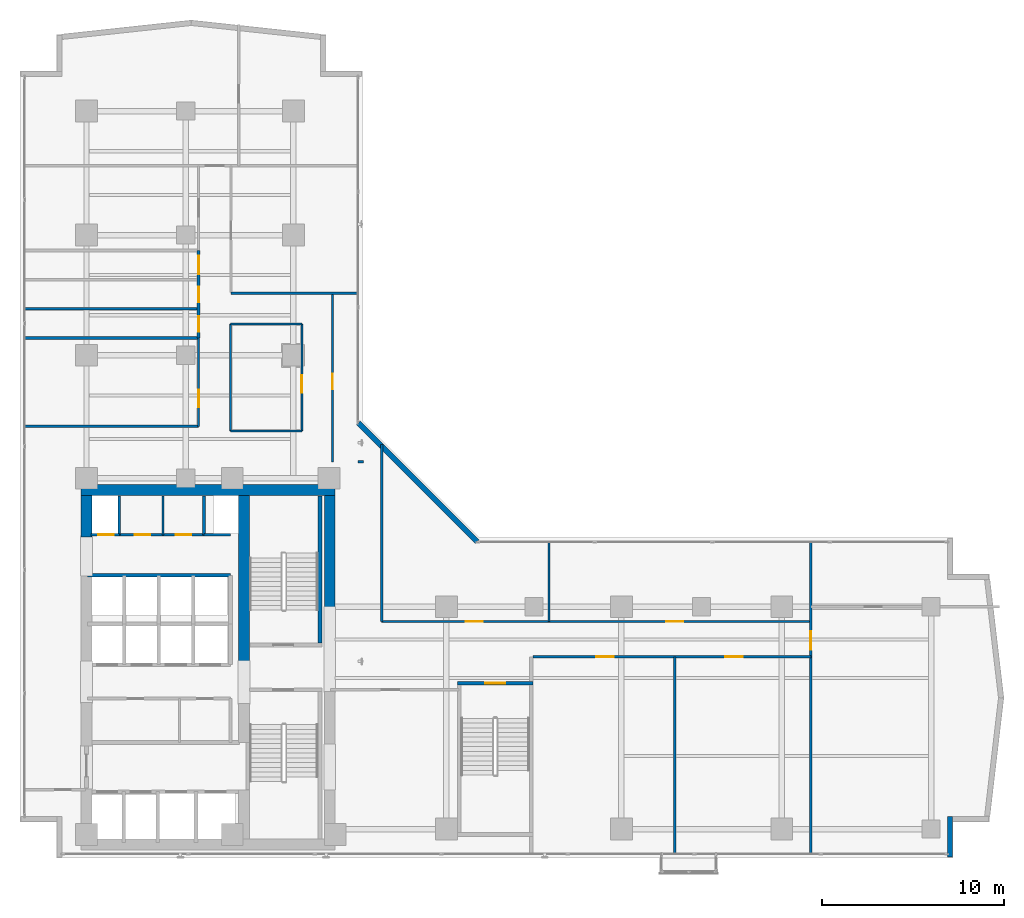
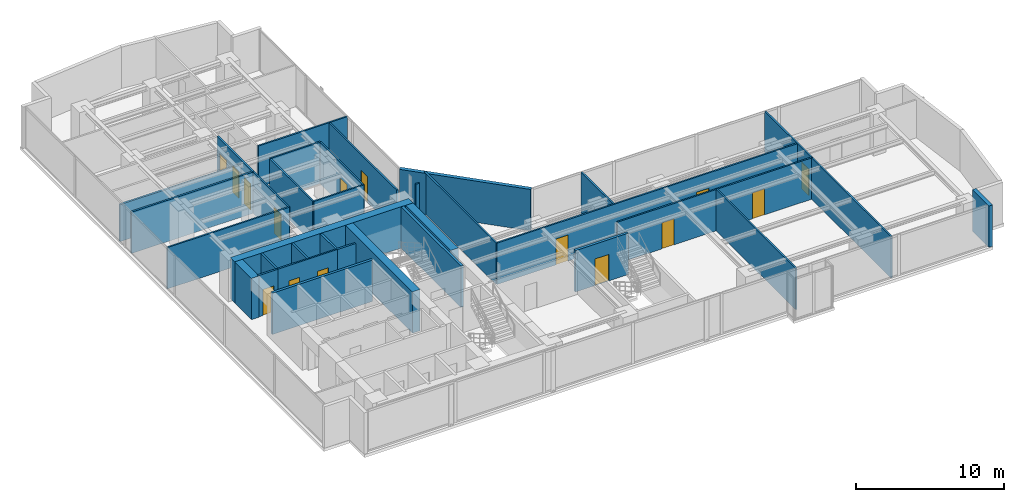
# One storey, part 20 of 26: 33 walls, 15 doors, 15 openings.
"""IFC4 building model written with IfcOpenShell, lengths in metres."""

from ifc_helpers import new_model, si_unit, direction, frame, frame_2d, origin, place, context, subcontext, project, spatial, rectangle, extrude, material, layer, layer_set, type_object, element, fill, save


model = new_model("IFC4")

# Units and contexts
model_context = context("Model", 3, precision=1e-05, world=origin(), true_north=direction((0.0, 1.0)))
body_context = subcontext(model_context, "Body", "Model", "MODEL_VIEW")
ifc_project = project(units=[si_unit("LENGTHUNIT", "METRE"), si_unit("AREAUNIT", "SQUARE_METRE"), si_unit("VOLUMEUNIT", "CUBIC_METRE"), si_unit("PLANEANGLEUNIT", "RADIAN"), si_unit("MASSUNIT", "GRAM", prefix="KILO")], contexts=[model_context])

# Site, building, storey
site_placement = place(None, origin())
site = spatial("IfcSite", under=ifc_project, at=site_placement, CompositionType="ELEMENT")
building_placement = place(site_placement, origin())
building = spatial("IfcBuilding", under=site, at=building_placement, Name="Kolvaren Waterfront Exchange", CompositionType="ELEMENT")
storey_placement = place(building_placement, frame((0.0, 0.0, 195.60009765625)))
storey = spatial("IfcBuildingStorey", under=building, at=storey_placement, Name="L50", CompositionType="ELEMENT", Elevation=195.60009765625)

# Walls
ifc_material_1 = material(Name="Precast concrete C40/50", Category="concrete")
ifc_layer_1 = layer(ifc_material_1, 0.280029296875, Name="Precast concrete C40/50")
ifc_layer_set_1 = layer_set([ifc_layer_1], Name="Precast concrete C40/50")
wall_type_1 = type_object("IfcWallType", Name="ARC-EXT-TERR-280", PredefinedType="SOLIDWALL", material=ifc_layer_set_1)
wall_1_placement = place(storey_placement, frame((54.840087890625, 3.659912109375, 0.0), z_axis=(0.0, 0.0, 1.0), x_axis=(0.0, 1.0, 0.0)))
element("IfcWall", 1, at=wall_1_placement, inside=storey, type_object=wall_type_1, Name="L50 notched corner spandrel pier SE-A", PredefinedType="SOLIDWALL", context=body_context, shape_type="SweptSolid", body=[
    extrude(rectangle(XDim=2.239990234375, YDim=0.280029296875, at=frame_2d((1.1201171875, 0.0))), origin(), (0.0, 0.0, 1.0), 3.419921875),
])
wall_2_placement = place(storey_placement, frame((28.885009765625, 20.97509765625, 0.0), z_axis=(0.0, 0.0, 1.0), x_axis=(-0.707106781187, 0.707106781187, 0.0)))
element("IfcWall", 2, at=wall_2_placement, inside=storey, type_object=wall_type_1, Name="L50 notched corner spandrel pier ELBOW", PredefinedType="SOLIDWALL", context=body_context, shape_type="SweptSolid", body=[
    extrude(rectangle(XDim=9.20654296875, YDim=0.280029296875, at=frame_2d((4.603271484375, 0.0))), origin(), (0.0, 0.0, 1.0), 3.419921875),
])

# Wall, openings, doors
ifc_material_2 = material(Name="Acoustic gypsum steel stud", Category="steel")
ifc_layer_2 = layer(ifc_material_2, 0.125, Name="Acoustic gypsum steel stud")
ifc_layer_set_2 = layer_set([ifc_layer_2], Name="Acoustic gypsum steel stud")
wall_type_2 = type_object("IfcWallType", Name="ARC-PART-125", PredefinedType="PARTITIONING", material=ifc_layer_set_2)
wall_3_placement = place(storey_placement, frame((9.25, 21.35009765625, 0.0), z_axis=(0.0, 0.0, 1.0), x_axis=(1.0, 0.0, 0.0)))
wall_3 = element("IfcWall", 3, at=wall_3_placement, inside=storey, type_object=wall_type_2, Name="L50 interior wall PW-L50-SVC-EX-S", PredefinedType="PARTITIONING", context=body_context, shape_type="SweptSolid", body=[
    extrude(rectangle(XDim=4.64990234375, YDim=0.125, at=frame_2d((2.324951171875, 0.0))), origin(), (0.0, 0.0, 1.0), 3.419921875),
])
opening_1_placement = place(wall_3_placement, frame((0.85009765625, 0.0, 0.0)))
opening_1 = element("IfcOpeningElement", 4, at=opening_1_placement, cuts=wall_3, Name="Opening D01", PredefinedType="OPENING", context=body_context, shape_type="SweptSolid", body=[
    extrude(rectangle(XDim=0.85009765625, YDim=2.14990234375, at=frame_2d((0.425048828125, 1.074951171875))), frame((0.0, 0.072509765625, 0.0), z_axis=(0.0, -1.0, 0.0), x_axis=(1.0, 0.0, 0.0)), (0.0, 0.0, 1.0), 0.14501953125),
])
opening_2_placement = place(wall_3_placement, frame((3.10009765625, 0.0, 0.0)))
opening_2 = element("IfcOpeningElement", 5, at=opening_2_placement, cuts=wall_3, Name="Opening D01", PredefinedType="OPENING", context=body_context, shape_type="SweptSolid", body=[
    extrude(rectangle(XDim=0.85009765625, YDim=2.14990234375, at=frame_2d((0.425048828125, 1.074951171875))), frame((0.0, 0.072509765625, 0.0), z_axis=(0.0, -1.0, 0.0), x_axis=(1.0, 0.0, 0.0)), (0.0, 0.0, 1.0), 0.14501953125),
])
ifc_material_3 = material(Name="Oak veneer timber leaf", Category="wood")
door_type_1 = type_object("IfcDoorType", Name="ARC-DR-900", OperationType="NOTDEFINED", PredefinedType="DOOR", material=ifc_material_3)
door_1_placement = place(opening_1_placement, origin())
door_1 = element("IfcDoor", 6, at=door_1_placement, inside=storey, type_object=door_type_1, Name="L50 door DR-L50-SVC-DR-1 (D01)", OperationType="SINGLE_SWING_RIGHT", OverallHeight=2.14990234375, OverallWidth=0.85009765625, PredefinedType="DOOR", context=body_context, shape_type="SweptSolid", body=[
    extrude(rectangle(XDim=0.85009765625, YDim=2.14990234375, at=frame_2d((0.425048828125, 1.074951171875))), frame((0.0, 0.02490234375, 0.0), z_axis=(0.0, -1.0, 0.0), x_axis=(1.0, 0.0, 0.0)), (0.0, 0.0, 1.0), 0.050048828125),
])
fill(opening_1, door_1)
door_2_placement = place(opening_2_placement, origin())
door_2 = element("IfcDoor", 7, at=door_2_placement, inside=storey, type_object=door_type_1, Name="L50 door DR-L50-SVC-DR-2 (D01)", OperationType="SINGLE_SWING_LEFT", OverallHeight=2.14990234375, OverallWidth=0.85009765625, PredefinedType="DOOR", context=body_context, shape_type="SweptSolid", body=[
    extrude(rectangle(XDim=0.85009765625, YDim=2.14990234375, at=frame_2d((0.425048828125, 1.074951171875))), frame((0.0, 0.02490234375, 0.0), z_axis=(0.0, -1.0, 0.0), x_axis=(1.0, 0.0, 0.0)), (0.0, 0.0, 1.0), 0.050048828125),
])
fill(opening_2, door_2)

# Walls
wall_4_placement = place(storey_placement, frame((11.64990234375, 21.35009765625, 0.0), z_axis=(0.0, 0.0, 1.0), x_axis=(0.0, 1.0, 0.0)))
element("IfcWall", 8, at=wall_4_placement, inside=storey, type_object=wall_type_2, Name="L50 interior wall PW-L50-SVC-EX-M1", PredefinedType="PARTITIONING", context=body_context, shape_type="SweptSolid", body=[
    extrude(rectangle(XDim=2.1298828125, YDim=0.125, at=frame_2d((1.06494140625, 0.0))), origin(), (0.0, 0.0, 1.0), 3.419921875),
])
for number, where, z_axis, x_axis, name in (
    (9, (15.35009765625, 27.050048828125, 0.0), (0.0, 0.0, 1.0), (1.0, 0.0, 0.0), "L50 interior wall PW-L50-ISL-S"),
    (10, (15.35009765625, 32.919921875, 0.0), (0.0, 0.0, 1.0), (1.0, 0.0, 0.0), "L50 interior wall PW-L50-ISL-N"),
):
    element("IfcWall", number, at=place(storey_placement, frame(where, z_axis=z_axis, x_axis=x_axis)), inside=storey, type_object=wall_type_2, Name=name, PredefinedType="PARTITIONING", context=body_context, shape_type="SweptSolid", body=[
        extrude(rectangle(XDim=3.919921875, YDim=0.125, at=frame_2d((1.9599609375, 0.0))), origin(), (0.0, 0.0, 1.0), 3.419921875),
    ])
wall_5_placement = place(storey_placement, frame((15.35009765625, 27.050048828125, 0.0), z_axis=(0.0, 0.0, 1.0), x_axis=(0.0, 1.0, 0.0)))
element("IfcWall", 11, at=wall_5_placement, inside=storey, type_object=wall_type_2, Name="L50 interior wall PW-L50-ISL-W", PredefinedType="PARTITIONING", context=body_context, shape_type="SweptSolid", body=[
    extrude(rectangle(XDim=5.869873046875, YDim=0.125, at=frame_2d((2.93505859375, 0.0))), origin(), (0.0, 0.0, 1.0), 3.419921875),
])

# Wall, opening, door
wall_6_placement = place(storey_placement, frame((19.27001953125, 27.050048828125, 0.0), z_axis=(0.0, 0.0, 1.0), x_axis=(0.0, 1.0, 0.0)))
wall_6 = element("IfcWall", 12, at=wall_6_placement, inside=storey, type_object=wall_type_2, Name="L50 interior wall PW-L50-ISL-E", PredefinedType="PARTITIONING", context=body_context, shape_type="SweptSolid", body=[
    extrude(rectangle(XDim=5.869873046875, YDim=0.125, at=frame_2d((2.93505859375, 0.0))), origin(), (0.0, 0.0, 1.0), 3.419921875),
])
opening_3_placement = place(wall_6_placement, frame((2.106201171875, 0.0, 0.0)))
opening_3 = element("IfcOpeningElement", 13, at=opening_3_placement, cuts=wall_6, Name="Opening D02", PredefinedType="OPENING", context=body_context, shape_type="SweptSolid", body=[
    extrude(rectangle(XDim=0.949951171875, YDim=2.14990234375, at=frame_2d((0.47509765625, 1.074951171875))), frame((0.0, 0.072509765625, 0.0), z_axis=(0.0, -1.0, 0.0), x_axis=(1.0, 0.0, 0.0)), (0.0, 0.0, 1.0), 0.14501953125),
])
ifc_material_4 = material(Name="Oak veneer acoustic timber", Category="wood")
door_type_2 = type_object("IfcDoorType", Name="ARC-DR-950", OperationType="NOTDEFINED", PredefinedType="DOOR", material=ifc_material_4)
door_3_placement = place(opening_3_placement, origin())
door_3 = element("IfcDoor", 14, at=door_3_placement, inside=storey, type_object=door_type_2, Name="L50 door DR-L50-ISL-D (D02)", OperationType="SINGLE_SWING_RIGHT", OverallHeight=2.14990234375, OverallWidth=0.949951171875, PredefinedType="DOOR", context=body_context, shape_type="SweptSolid", body=[
    extrude(rectangle(XDim=0.949951171875, YDim=2.14990234375, at=frame_2d((0.47509765625, 1.074951171875))), frame((0.0, 0.02490234375, 0.0), z_axis=(0.0, -1.0, 0.0), x_axis=(1.0, 0.0, 0.0)), (0.0, 0.0, 1.0), 0.050048828125),
])
fill(opening_3, door_3)

wall_7_placement = place(storey_placement, frame((13.60009765625, 27.300048828125, 0.0), z_axis=(0.0, 0.0, 1.0), x_axis=(0.0, 1.0, 0.0)))
wall_7 = element("IfcWall", 15, at=wall_7_placement, inside=storey, type_object=wall_type_2, Name="L50 interior wall PW-L50-PREWC-E", PredefinedType="PARTITIONING", context=body_context, shape_type="SweptSolid", body=[
    extrude(rectangle(XDim=4.849853515625, YDim=0.125, at=frame_2d((2.4248046875, 0.0))), origin(), (0.0, 0.0, 1.0), 3.419921875),
])
opening_4_placement = place(wall_7_placement, frame((1.050048828125, 0.0, 0.0)))
opening_4 = element("IfcOpeningElement", 16, at=opening_4_placement, cuts=wall_7, Name="Opening D02", PredefinedType="OPENING", context=body_context, shape_type="SweptSolid", body=[
    extrude(rectangle(XDim=0.949951171875, YDim=2.14990234375, at=frame_2d((0.47509765625, 1.074951171875))), frame((0.0, 0.072509765625, 0.0), z_axis=(0.0, -1.0, 0.0), x_axis=(1.0, 0.0, 0.0)), (0.0, 0.0, 1.0), 0.14501953125),
])
door_4_placement = place(opening_4_placement, origin())
door_4 = element("IfcDoor", 17, at=door_4_placement, inside=storey, type_object=door_type_2, Name="L50 door DR-L50-PREWC-D (D02)", OperationType="SINGLE_SWING_LEFT", OverallHeight=2.14990234375, OverallWidth=0.949951171875, PredefinedType="DOOR", context=body_context, shape_type="SweptSolid", body=[
    extrude(rectangle(XDim=0.949951171875, YDim=2.14990234375, at=frame_2d((0.47509765625, 1.074951171875))), frame((0.0, 0.02490234375, 0.0), z_axis=(0.0, -1.0, 0.0), x_axis=(1.0, 0.0, 0.0)), (0.0, 0.0, 1.0), 0.050048828125),
])
fill(opening_4, door_4)

# Wall
wall_8_placement = place(storey_placement, frame((4.0400390625, 27.300048828125, 0.0), z_axis=(0.0, 0.0, 1.0), x_axis=(1.0, 0.0, 0.0)))
element("IfcWall", 18, at=wall_8_placement, inside=storey, type_object=wall_type_2, Name="L50 interior wall PW-L50-PREWC-S", PredefinedType="PARTITIONING", context=body_context, shape_type="SweptSolid", body=[
    extrude(rectangle(XDim=9.56005859375, YDim=0.125, at=frame_2d((4.780029296875, 0.0))), origin(), (0.0, 0.0, 1.0), 3.419921875),
])

# Wall, opening, door
wall_9_placement = place(storey_placement, frame((20.949951171875, 25.35009765625, 0.0), z_axis=(0.0, 0.0, 1.0), x_axis=(0.0, 1.0, 0.0)))
wall_9 = element("IfcWall", 19, at=wall_9_placement, inside=storey, type_object=wall_type_2, Name="L50 interior wall PW-L50-RFLANK-W", PredefinedType="PARTITIONING", context=body_context, shape_type="SweptSolid", body=[
    extrude(rectangle(XDim=9.25, YDim=0.125, at=frame_2d((4.625, 0.0))), origin(), (0.0, 0.0, 1.0), 3.419921875),
])
opening_5_placement = place(wall_9_placement, frame((3.97314453125, 0.0, 0.0)))
opening_5 = element("IfcOpeningElement", 20, at=opening_5_placement, cuts=wall_9, Name="Opening D01", PredefinedType="OPENING", context=body_context, shape_type="SweptSolid", body=[
    extrude(rectangle(XDim=0.85009765625, YDim=2.14990234375, at=frame_2d((0.425048828125, 1.074951171875))), frame((0.0, 0.072509765625, 0.0), z_axis=(0.0, -1.0, 0.0), x_axis=(1.0, 0.0, 0.0)), (0.0, 0.0, 1.0), 0.14501953125),
])
door_5_placement = place(opening_5_placement, origin())
door_5 = element("IfcDoor", 21, at=door_5_placement, inside=storey, type_object=door_type_1, Name="L50 door DR-L50-RFLANK-D (D01)", OperationType="SINGLE_SWING_LEFT", OverallHeight=2.14990234375, OverallWidth=0.85009765625, PredefinedType="DOOR", context=body_context, shape_type="SweptSolid", body=[
    extrude(rectangle(XDim=0.85009765625, YDim=2.14990234375, at=frame_2d((0.425048828125, 1.074951171875))), frame((0.0, 0.02490234375, 0.0), z_axis=(0.0, -1.0, 0.0), x_axis=(1.0, 0.0, 0.0)), (0.0, 0.0, 1.0), 0.050048828125),
])
fill(opening_5, door_5)

# Walls
wall_10_placement = place(storey_placement, frame((22.64990234375, 25.35009765625, 0.0), z_axis=(0.0, 0.0, 1.0), x_axis=(-1.0, 0.0, 0.0)))
element("IfcWall", 22, at=wall_10_placement, inside=storey, type_object=wall_type_2, Name="L50 interior wall PW-L50-RFLANK-S", PredefinedType="PARTITIONING", context=body_context, shape_type="SweptSolid", body=[
    extrude(rectangle(XDim=0.289794921875, YDim=0.125, at=frame_2d((0.14501953125, 0.0))), origin(), (0.0, 0.0, 1.0), 3.419921875),
])
wall_11_placement = place(storey_placement, frame((15.3798828125, 34.60009765625, 0.0), z_axis=(0.0, 0.0, 1.0), x_axis=(1.0, 0.0, 0.0)))
element("IfcWall", 23, at=wall_11_placement, inside=storey, type_object=wall_type_2, Name="L50 interior wall PW-L50-RFLANK-N", PredefinedType="PARTITIONING", context=body_context, shape_type="SweptSolid", body=[
    extrude(rectangle(XDim=6.980224609375, YDim=0.125, at=frame_2d((3.490234375, 0.0))), origin(), (0.0, 0.0, 1.0), 3.419921875),
])

# Wall, openings, doors
wall_12_placement = place(storey_placement, frame((31.949951171875, 14.64990234375, 0.0), z_axis=(0.0, 0.0, 1.0), x_axis=(1.0, 0.0, 0.0)))
wall_12 = element("IfcWall", 24, at=wall_12_placement, inside=storey, type_object=wall_type_2, Name="L50 interior wall PW-L50-ES-CORR", PredefinedType="PARTITIONING", context=body_context, shape_type="SweptSolid", body=[
    extrude(rectangle(XDim=15.25, YDim=0.125, at=frame_2d((7.625, 0.0))), origin(), (0.0, 0.0, 1.0), 3.419921875),
])
opening_6_placement = place(wall_12_placement, frame((3.485107421875, 0.0, 0.0)))
opening_6 = element("IfcOpeningElement", 25, at=opening_6_placement, cuts=wall_12, Name="Opening D02", PredefinedType="OPENING", context=body_context, shape_type="SweptSolid", body=[
    extrude(rectangle(XDim=0.949951171875, YDim=2.14990234375, at=frame_2d((0.47509765625, 1.074951171875))), frame((0.0, 0.072509765625, 0.0), z_axis=(0.0, -1.0, 0.0), x_axis=(1.0, 0.0, 0.0)), (0.0, 0.0, 1.0), 0.14501953125),
])
opening_7_placement = place(wall_12_placement, frame((10.56494140625, 0.0, 0.0)))
opening_7 = element("IfcOpeningElement", 26, at=opening_7_placement, cuts=wall_12, Name="Opening D02", PredefinedType="OPENING", context=body_context, shape_type="SweptSolid", body=[
    extrude(rectangle(XDim=0.949951171875, YDim=2.14990234375, at=frame_2d((0.47509765625, 1.074951171875))), frame((0.0, 0.072509765625, 0.0), z_axis=(0.0, -1.0, 0.0), x_axis=(1.0, 0.0, 0.0)), (0.0, 0.0, 1.0), 0.14501953125),
])
door_6_placement = place(opening_6_placement, origin())
door_6 = element("IfcDoor", 27, at=door_6_placement, inside=storey, type_object=door_type_2, Name="L50 door DR-L50-ES-D-1 (D02)", OperationType="SINGLE_SWING_RIGHT", OverallHeight=2.14990234375, OverallWidth=0.949951171875, PredefinedType="DOOR", context=body_context, shape_type="SweptSolid", body=[
    extrude(rectangle(XDim=0.949951171875, YDim=2.14990234375, at=frame_2d((0.47509765625, 1.074951171875))), frame((0.0, 0.02490234375, 0.0), z_axis=(0.0, -1.0, 0.0), x_axis=(1.0, 0.0, 0.0)), (0.0, 0.0, 1.0), 0.050048828125),
])
fill(opening_6, door_6)
door_7_placement = place(opening_7_placement, origin())
door_7 = element("IfcDoor", 28, at=door_7_placement, inside=storey, type_object=door_type_2, Name="L50 door DR-L50-ES-D-2 (D02)", OperationType="SINGLE_SWING_LEFT", OverallHeight=2.14990234375, OverallWidth=0.949951171875, PredefinedType="DOOR", context=body_context, shape_type="SweptSolid", body=[
    extrude(rectangle(XDim=0.949951171875, YDim=2.14990234375, at=frame_2d((0.47509765625, 1.074951171875))), frame((0.0, 0.02490234375, 0.0), z_axis=(0.0, -1.0, 0.0), x_axis=(1.0, 0.0, 0.0)), (0.0, 0.0, 1.0), 0.050048828125),
])
fill(opening_7, door_7)

# Wall
wall_13_placement = place(storey_placement, frame((39.72998046875, 3.840087890625, 0.0), z_axis=(0.0, 0.0, 1.0), x_axis=(0.0, 1.0, 0.0)))
element("IfcWall", 29, at=wall_13_placement, inside=storey, type_object=wall_type_2, Name="L50 interior wall PW-L50-ES-DIV-1", PredefinedType="PARTITIONING", context=body_context, shape_type="SweptSolid", body=[
    extrude(rectangle(XDim=10.809814453125, YDim=0.125, at=frame_2d((5.40478515625, 0.0))), origin(), (0.0, 0.0, 1.0), 3.419921875),
])

# Wall, opening, door
wall_14_placement = place(storey_placement, frame((47.199951171875, 3.840087890625, 0.0), z_axis=(0.0, 0.0, 1.0), x_axis=(0.0, 1.0, 0.0)))
wall_14 = element("IfcWall", 30, at=wall_14_placement, inside=storey, type_object=wall_type_2, Name="L50 interior wall PW-L50-ETIP-W", PredefinedType="PARTITIONING", context=body_context, shape_type="SweptSolid", body=[
    extrude(rectangle(XDim=17.119873046875, YDim=0.125, at=frame_2d((8.56005859375, 0.0))), origin(), (0.0, 0.0, 1.0), 3.419921875),
])
opening_8_placement = place(wall_14_placement, frame((11.2099609375, 0.0, 0.0)))
opening_8 = element("IfcOpeningElement", 31, at=opening_8_placement, cuts=wall_14, Name="Opening D03", PredefinedType="OPENING", context=body_context, shape_type="SweptSolid", body=[
    extrude(rectangle(XDim=1.0, YDim=2.199951171875, at=frame_2d((0.5, 1.10009765625))), frame((0.0, 0.072509765625, 0.0), z_axis=(0.0, -1.0, 0.0), x_axis=(1.0, 0.0, 0.0)), (0.0, 0.0, 1.0), 0.14501953125),
])
ifc_material_5 = material(Name="Oak veneer accessible timber", Category="wood")
door_type_3 = type_object("IfcDoorType", Name="ARC-DR-1000", OperationType="NOTDEFINED", PredefinedType="DOOR", material=ifc_material_5)
door_8_placement = place(opening_8_placement, origin())
door_8 = element("IfcDoor", 32, at=door_8_placement, inside=storey, type_object=door_type_3, Name="L50 door DR-L50-ETIP1-D (D03)", OperationType="SINGLE_SWING_RIGHT", OverallHeight=2.199951171875, OverallWidth=1.0, PredefinedType="DOOR", context=body_context, shape_type="SweptSolid", body=[
    extrude(rectangle(XDim=1.0, YDim=2.199951171875, at=frame_2d((0.5, 1.10009765625))), frame((0.0, 0.02490234375, 0.0), z_axis=(0.0, -1.0, 0.0), x_axis=(1.0, 0.0, 0.0)), (0.0, 0.0, 1.0), 0.050048828125),
])
fill(opening_8, door_8)

# Wall
wall_15_placement = place(storey_placement, frame((23.64990234375, 16.590087890625, 0.0), z_axis=(0.0, 0.0, 1.0), x_axis=(0.0, 1.0, 0.0)))
element("IfcWall", 33, at=wall_15_placement, inside=storey, type_object=wall_type_2, Name="L50 interior wall PW-L50-EN-W0", PredefinedType="PARTITIONING", context=body_context, shape_type="SweptSolid", body=[
    extrude(rectangle(XDim=9.719970703125, YDim=0.125, at=frame_2d((4.85986328125, 0.0))), origin(), (0.0, 0.0, 1.0), 3.419921875),
])

# Wall, openings, doors
wall_16_placement = place(storey_placement, frame((23.64990234375, 16.590087890625, 0.0), z_axis=(0.0, 0.0, 1.0), x_axis=(1.0, 0.0, 0.0)))
wall_16 = element("IfcWall", 34, at=wall_16_placement, inside=storey, type_object=wall_type_2, Name="L50 interior wall PW-L50-EN-CORR", PredefinedType="PARTITIONING", context=body_context, shape_type="SweptSolid", body=[
    extrude(rectangle(XDim=23.550048828125, YDim=0.125, at=frame_2d((11.77490234375, 0.0))), origin(), (0.0, 0.0, 1.0), 3.419921875),
])
opening_9_placement = place(wall_16_placement, frame((4.605712890625, 0.0, 0.0)))
opening_9 = element("IfcOpeningElement", 35, at=opening_9_placement, cuts=wall_16, Name="Opening D02", PredefinedType="OPENING", context=body_context, shape_type="SweptSolid", body=[
    extrude(rectangle(XDim=0.949951171875, YDim=2.14990234375, at=frame_2d((0.47509765625, 1.074951171875))), frame((0.0, 0.072509765625, 0.0), z_axis=(0.0, -1.0, 0.0), x_axis=(1.0, 0.0, 0.0)), (0.0, 0.0, 1.0), 0.14501953125),
])
opening_10_placement = place(wall_16_placement, frame((15.609619140625, 0.0, 0.0)))
opening_10 = element("IfcOpeningElement", 36, at=opening_10_placement, cuts=wall_16, Name="Opening D02", PredefinedType="OPENING", context=body_context, shape_type="SweptSolid", body=[
    extrude(rectangle(XDim=0.949951171875, YDim=2.14990234375, at=frame_2d((0.47509765625, 1.074951171875))), frame((0.0, 0.072509765625, 0.0), z_axis=(0.0, -1.0, 0.0), x_axis=(1.0, 0.0, 0.0)), (0.0, 0.0, 1.0), 0.14501953125),
])
door_9_placement = place(opening_9_placement, origin())
door_9 = element("IfcDoor", 37, at=door_9_placement, inside=storey, type_object=door_type_2, Name="L50 door DR-L50-EN-D-1 (D02)", OperationType="SINGLE_SWING_RIGHT", OverallHeight=2.14990234375, OverallWidth=0.949951171875, PredefinedType="DOOR", context=body_context, shape_type="SweptSolid", body=[
    extrude(rectangle(XDim=0.949951171875, YDim=2.14990234375, at=frame_2d((0.47509765625, 1.074951171875))), frame((0.0, 0.02490234375, 0.0), z_axis=(0.0, -1.0, 0.0), x_axis=(1.0, 0.0, 0.0)), (0.0, 0.0, 1.0), 0.050048828125),
])
fill(opening_9, door_9)
door_10_placement = place(opening_10_placement, origin())
door_10 = element("IfcDoor", 38, at=door_10_placement, inside=storey, type_object=door_type_2, Name="L50 door DR-L50-EN-D-2 (D02)", OperationType="SINGLE_SWING_LEFT", OverallHeight=2.14990234375, OverallWidth=0.949951171875, PredefinedType="DOOR", context=body_context, shape_type="SweptSolid", body=[
    extrude(rectangle(XDim=0.949951171875, YDim=2.14990234375, at=frame_2d((0.47509765625, 1.074951171875))), frame((0.0, 0.02490234375, 0.0), z_axis=(0.0, -1.0, 0.0), x_axis=(1.0, 0.0, 0.0)), (0.0, 0.0, 1.0), 0.050048828125),
])
fill(opening_10, door_10)

# Walls
wall_17_placement = place(storey_placement, frame((32.830078125, 16.590087890625, 0.0), z_axis=(0.0, 0.0, 1.0), x_axis=(0.0, 1.0, 0.0)))
element("IfcWall", 39, at=wall_17_placement, inside=storey, type_object=wall_type_2, Name="L50 interior wall PW-L50-EN-DIV-1", PredefinedType="PARTITIONING", context=body_context, shape_type="SweptSolid", body=[
    extrude(rectangle(XDim=4.369873046875, YDim=0.125, at=frame_2d((2.18505859375, 0.0))), origin(), (0.0, 0.0, 1.0), 3.419921875),
])
ifc_material_6 = material(Name="Gypsum fireboard steel stud", Category="steel")
ifc_layer_3 = layer(ifc_material_6, 0.14990234375, Name="Gypsum fireboard steel stud")
ifc_layer_set_3 = layer_set([ifc_layer_3], Name="Gypsum fireboard steel stud")
wall_type_3 = type_object("IfcWallType", Name="ARC-PART-150", PredefinedType="PARTITIONING", material=ifc_layer_set_3)
for number, where, z_axis, x_axis, name in (
    (40, (9.25, 21.35009765625, 0.0), (0.0, 0.0, 1.0), (0.0, 1.0, 0.0), "L50 interior wall PW-L50-SVC-R1"),
    (41, (13.89990234375, 21.35009765625, 0.0), (0.0, 0.0, 1.0), (0.0, 1.0, 0.0), "L50 interior wall PW-L50-SVC-R2"),
):
    element("IfcWall", number, at=place(storey_placement, frame(where, z_axis=z_axis, x_axis=x_axis)), inside=storey, type_object=wall_type_3, Name=name, PredefinedType="PARTITIONING", context=body_context, shape_type="SweptSolid", body=[
        extrude(rectangle(XDim=2.1298828125, YDim=0.14990234375, at=frame_2d((1.06494140625, 0.0))), origin(), (0.0, 0.0, 1.0), 3.419921875),
    ])

# Wall, opening, door
wall_18_placement = place(storey_placement, frame((7.699951171875, 21.35009765625, 0.0), z_axis=(0.0, 0.0, 1.0), x_axis=(1.0, 0.0, 0.0)))
wall_18 = element("IfcWall", 42, at=wall_18_placement, inside=storey, type_object=wall_type_3, Name="L50 interior wall PW-L50-SVC-RE-S", PredefinedType="PARTITIONING", context=body_context, shape_type="SweptSolid", body=[
    extrude(rectangle(XDim=1.550048828125, YDim=0.14990234375, at=frame_2d((0.77490234375, 0.0))), origin(), (0.0, 0.0, 1.0), 3.419921875),
])
opening_11_placement = place(wall_18_placement, frame((0.389892578125, 0.0, 0.0)))
opening_11 = element("IfcOpeningElement", 43, at=opening_11_placement, cuts=wall_18, Name="Opening FD1", PredefinedType="OPENING", context=body_context, shape_type="SweptSolid", body=[
    extrude(rectangle(XDim=0.85009765625, YDim=2.14990234375, at=frame_2d((0.425048828125, 1.074951171875))), frame((0.0, 0.0849609375, 0.0), z_axis=(0.0, -1.0, 0.0), x_axis=(1.0, 0.0, 0.0)), (0.0, 0.0, 1.0), 0.169921875),
])
ifc_material_7 = material(Name="Pressed steel fire leaf", Category="steel")
door_type_4 = type_object("IfcDoorType", Name="ARC-FD-900", OperationType="NOTDEFINED", PredefinedType="DOOR", material=ifc_material_7)
door_11_placement = place(opening_11_placement, origin())
door_11 = element("IfcDoor", 44, at=door_11_placement, inside=storey, type_object=door_type_4, Name="L50 door DR-L50-RISER-E-DR (FD1)", OperationType="SINGLE_SWING_LEFT", OverallHeight=2.14990234375, OverallWidth=0.85009765625, PredefinedType="DOOR", context=body_context, shape_type="SweptSolid", body=[
    extrude(rectangle(XDim=0.85009765625, YDim=2.14990234375, at=frame_2d((0.425048828125, 1.074951171875))), frame((0.0, 0.02490234375, 0.0), z_axis=(0.0, -1.0, 0.0), x_axis=(1.0, 0.0, 0.0)), (0.0, 0.0, 1.0), 0.050048828125),
])
fill(opening_11, door_11)

# Walls
wall_19_placement = place(storey_placement, frame((13.89990234375, 21.35009765625, 0.0), z_axis=(0.0, 0.0, 1.0), x_axis=(1.0, 0.0, 0.0)))
element("IfcWall", 45, at=wall_19_placement, inside=storey, type_object=wall_type_3, Name="L50 interior wall PW-L50-SVC-RP-S", PredefinedType="PARTITIONING", context=body_context, shape_type="SweptSolid", body=[
    extrude(rectangle(XDim=1.4501953125, YDim=0.14990234375, at=frame_2d((0.72509765625, 0.0))), origin(), (0.0, 0.0, 1.0), 3.419921875),
])
ifc_material_8 = material(Name="Moisture-resistant gypsum stud")
ifc_layer_4 = layer(ifc_material_8, 0.14990234375, Name="Moisture-resistant gypsum stud")
ifc_layer_set_4 = layer_set([ifc_layer_4], Name="Moisture-resistant gypsum stud")
wall_type_4 = type_object("IfcWallType", Name="ARC-PLUMB-150", PredefinedType="PLUMBINGWALL", material=ifc_layer_set_4)
wall_20_placement = place(storey_placement, frame((4.0400390625, 32.14990234375, 0.0), z_axis=(0.0, 0.0, 1.0), x_axis=(1.0, 0.0, 0.0)))
element("IfcWall", 46, at=wall_20_placement, inside=storey, type_object=wall_type_4, Name="L50 interior wall PW-L50-WC-0", PredefinedType="PLUMBINGWALL", context=body_context, shape_type="SweptSolid", body=[
    extrude(rectangle(XDim=9.56005859375, YDim=0.14990234375, at=frame_2d((4.780029296875, 0.0))), origin(), (0.0, 0.0, 1.0), 3.419921875),
])

# Wall, openings, doors
wall_21_placement = place(storey_placement, frame((13.60009765625, 32.14990234375, 0.0), z_axis=(0.0, 0.0, 1.0), x_axis=(0.0, 1.0, 0.0)))
wall_21 = element("IfcWall", 47, at=wall_21_placement, inside=storey, type_object=wall_type_4, Name="L50 interior wall PW-L50-WC-E", PredefinedType="PLUMBINGWALL", context=body_context, shape_type="SweptSolid", body=[
    extrude(rectangle(XDim=4.800048828125, YDim=0.14990234375, at=frame_2d((2.39990234375, 0.0))), origin(), (0.0, 0.0, 1.0), 3.419921875),
])
opening_12_placement = place(wall_21_placement, frame((0.35009765625, 0.0, 0.0)))
opening_12 = element("IfcOpeningElement", 48, at=opening_12_placement, cuts=wall_21, Name="Opening D01", PredefinedType="OPENING", context=body_context, shape_type="SweptSolid", body=[
    extrude(rectangle(XDim=0.85009765625, YDim=2.14990234375, at=frame_2d((0.425048828125, 1.074951171875))), frame((0.0, 0.0849609375, 0.0), z_axis=(0.0, -1.0, 0.0), x_axis=(1.0, 0.0, 0.0)), (0.0, 0.0, 1.0), 0.169921875),
])
opening_13_placement = place(wall_21_placement, frame((1.949951171875, 0.0, 0.0)))
opening_13 = element("IfcOpeningElement", 49, at=opening_13_placement, cuts=wall_21, Name="Opening D01", PredefinedType="OPENING", context=body_context, shape_type="SweptSolid", body=[
    extrude(rectangle(XDim=0.85009765625, YDim=2.14990234375, at=frame_2d((0.425048828125, 1.074951171875))), frame((0.0, 0.0849609375, 0.0), z_axis=(0.0, -1.0, 0.0), x_axis=(1.0, 0.0, 0.0)), (0.0, 0.0, 1.0), 0.169921875),
])
opening_14_placement = place(wall_21_placement, frame((3.5, 0.0, 0.0)))
opening_14 = element("IfcOpeningElement", 50, at=opening_14_placement, cuts=wall_21, Name="Opening D03", PredefinedType="OPENING", context=body_context, shape_type="SweptSolid", body=[
    extrude(rectangle(XDim=1.0, YDim=2.199951171875, at=frame_2d((0.5, 1.10009765625))), frame((0.0, 0.0849609375, 0.0), z_axis=(0.0, -1.0, 0.0), x_axis=(1.0, 0.0, 0.0)), (0.0, 0.0, 1.0), 0.169921875),
])
door_12_placement = place(opening_14_placement, origin())
door_12 = element("IfcDoor", 51, at=door_12_placement, inside=storey, type_object=door_type_3, Name="L50 door DR-L50-WCA-D (D03)", OperationType="SINGLE_SWING_RIGHT", OverallHeight=2.199951171875, OverallWidth=1.0, PredefinedType="DOOR", context=body_context, shape_type="SweptSolid", body=[
    extrude(rectangle(XDim=1.0, YDim=2.199951171875, at=frame_2d((0.5, 1.10009765625))), frame((0.0, 0.02490234375, 0.0), z_axis=(0.0, -1.0, 0.0), x_axis=(1.0, 0.0, 0.0)), (0.0, 0.0, 1.0), 0.050048828125),
])
fill(opening_14, door_12)
door_13_placement = place(opening_12_placement, origin())
door_13 = element("IfcDoor", 52, at=door_13_placement, inside=storey, type_object=door_type_1, Name="L50 door DR-L50-WCM-D (D01)", OperationType="SINGLE_SWING_RIGHT", OverallHeight=2.14990234375, OverallWidth=0.85009765625, PredefinedType="DOOR", context=body_context, shape_type="SweptSolid", body=[
    extrude(rectangle(XDim=0.85009765625, YDim=2.14990234375, at=frame_2d((0.425048828125, 1.074951171875))), frame((0.0, 0.02490234375, 0.0), z_axis=(0.0, -1.0, 0.0), x_axis=(1.0, 0.0, 0.0)), (0.0, 0.0, 1.0), 0.050048828125),
])
fill(opening_12, door_13)
door_14_placement = place(opening_13_placement, origin())
door_14 = element("IfcDoor", 53, at=door_14_placement, inside=storey, type_object=door_type_1, Name="L50 door DR-L50-WCF-D (D01)", OperationType="SINGLE_SWING_LEFT", OverallHeight=2.14990234375, OverallWidth=0.85009765625, PredefinedType="DOOR", context=body_context, shape_type="SweptSolid", body=[
    extrude(rectangle(XDim=0.85009765625, YDim=2.14990234375, at=frame_2d((0.425048828125, 1.074951171875))), frame((0.0, 0.02490234375, 0.0), z_axis=(0.0, -1.0, 0.0), x_axis=(1.0, 0.0, 0.0)), (0.0, 0.0, 1.0), 0.050048828125),
])
fill(opening_13, door_14)

# Walls
wall_22_placement = place(storey_placement, frame((4.0400390625, 33.75, 0.0), z_axis=(0.0, 0.0, 1.0), x_axis=(1.0, 0.0, 0.0)))
element("IfcWall", 54, at=wall_22_placement, inside=storey, type_object=wall_type_4, Name="L50 interior wall PW-L50-WC-1", PredefinedType="PLUMBINGWALL", context=body_context, shape_type="SweptSolid", body=[
    extrude(rectangle(XDim=9.56005859375, YDim=0.14990234375, at=frame_2d((4.780029296875, 0.0))), origin(), (0.0, 0.0, 1.0), 3.059814453125),
])
ifc_material_9 = material(Name="Concrete C40/50", Category="concrete")
ifc_layer_5 = layer(ifc_material_9, 0.199951171875, Name="Concrete C40/50")
ifc_layer_set_5 = layer_set([ifc_layer_5], Name="Concrete C40/50")
wall_type_5 = type_object("IfcWallType", Name="ARC-SHAFT-200", PredefinedType="PARTITIONING", material=ifc_layer_set_5)
wall_23_placement = place(storey_placement, frame((20.260009765625, 15.39990234375, 0.0), z_axis=(0.0, 0.0, 1.0), x_axis=(0.0, 1.0, 0.0)))
element("IfcWall", 55, at=wall_23_placement, inside=storey, type_object=wall_type_5, Name="L50 structural stairwell wall PW-L50-ST2-E", PredefinedType="SHEAR", context=body_context, shape_type="SweptSolid", body=[
    extrude(rectangle(XDim=8.090087890625, YDim=0.199951171875, at=frame_2d((4.044921875, 0.0))), origin(), (0.0, 0.0, 1.0), 3.419921875),
])

# Wall, opening, door
wall_24_placement = place(storey_placement, frame((27.800048828125, 13.199951171875, 0.0), z_axis=(0.0, 0.0, 1.0), x_axis=(1.0, 0.0, 0.0)))
wall_24 = element("IfcWall", 56, at=wall_24_placement, inside=storey, type_object=wall_type_5, Name="L50 structural stairwell wall PW-L50-ST3-N", PredefinedType="SHEAR", context=body_context, shape_type="SweptSolid", body=[
    extrude(rectangle(XDim=4.159912109375, YDim=0.199951171875, at=frame_2d((2.080078125, 0.0))), origin(), (0.0, 0.0, 1.0), 3.419921875),
])
opening_15_placement = place(wall_24_placement, frame((1.530029296875, 0.0, 0.0)))
opening_15 = element("IfcOpeningElement", 57, at=opening_15_placement, cuts=wall_24, Name="Opening FD2", PredefinedType="OPENING", context=body_context, shape_type="SweptSolid", body=[
    extrude(rectangle(XDim=1.10009765625, YDim=2.199951171875, at=frame_2d((0.550048828125, 1.10009765625))), frame((0.0, 0.10986328125, 0.0), z_axis=(0.0, -1.0, 0.0), x_axis=(1.0, 0.0, 0.0)), (0.0, 0.0, 1.0), 0.219970703125),
])
ifc_material_10 = material(Name="Pressed steel smoke-seal fire door", Category="steel")
door_type_5 = type_object("IfcDoorType", Name="ARC-FD-1100", OperationType="NOTDEFINED", PredefinedType="DOOR", material=ifc_material_10)
door_15_placement = place(opening_15_placement, frame((1.10009765625, 0.0, 0.0), z_axis=(0.0, 0.0, 1.0), x_axis=(-1.0, 0.0, 0.0)))
door_15 = element("IfcDoor", 58, at=door_15_placement, inside=storey, type_object=door_type_5, Name="L50 door DR-L50-ST3-IN (FD2)", OperationType="SINGLE_SWING_LEFT", OverallHeight=2.199951171875, OverallWidth=1.10009765625, PredefinedType="DOOR", context=body_context, shape_type="SweptSolid", body=[
    extrude(rectangle(XDim=1.10009765625, YDim=2.199951171875, at=frame_2d((0.550048828125, 1.10009765625))), frame((0.0, 0.02490234375, 0.0), z_axis=(0.0, -1.0, 0.0), x_axis=(1.0, 0.0, 0.0)), (0.0, 0.0, 1.0), 0.050048828125),
])
fill(opening_15, door_15)

# Walls
wall_25_placement = place(storey_placement, frame((7.5, 19.1201171875, 0.0), z_axis=(0.0, 0.0, 1.0), x_axis=(1.0, 0.0, 0.0)))
element("IfcWall", 59, at=wall_25_placement, inside=storey, type_object=wall_type_5, Name="L50 interior wall PW-L50-PH-N", PredefinedType="PARTITIONING", context=body_context, shape_type="SweptSolid", body=[
    extrude(rectangle(XDim=7.85009765625, YDim=0.199951171875, at=frame_2d((3.925048828125, 0.0))), origin(), (0.0, 0.0, 1.0), 3.419921875),
])
ifc_material_11 = material(Name="Concrete C60/75", Category="concrete")
ifc_layer_6 = layer(ifc_material_11, 0.60009765625, Name="Concrete C60/75")
ifc_layer_set_6 = layer_set([ifc_layer_6], Name="Concrete C60/75")
wall_type_6 = type_object("IfcWallType", Name="STR-CWALL-600", PredefinedType="SHEAR", material=ifc_layer_set_6)
wall_26_placement = place(storey_placement, frame((7.14990234375, 23.800048828125, 0.0), z_axis=(0.0, 0.0, 1.0), x_axis=(1.0, 0.0, 0.0)))
element("IfcWall", 60, at=wall_26_placement, inside=storey, type_object=wall_type_6, Name="L50 rear-core shear wall N", PredefinedType="SHEAR", context=body_context, shape_type="SweptSolid", body=[
    extrude(rectangle(XDim=13.9501953125, YDim=0.60009765625, at=frame_2d((6.97509765625, 0.0))), origin(), (0.0, 0.0, 1.0), 3.419921875),
])
wall_27_placement = place(storey_placement, frame((7.449951171875, 21.239990234375, 0.0), z_axis=(0.0, 0.0, 1.0), x_axis=(0.0, 1.0, 0.0)))
element("IfcWall", 61, at=wall_27_placement, inside=storey, type_object=wall_type_6, Name="L50 rear-core shear wall W3", PredefinedType="SHEAR", context=body_context, shape_type="SweptSolid", body=[
    extrude(rectangle(XDim=2.260009765625, YDim=0.60009765625, at=frame_2d((1.1298828125, 0.0))), origin(), (0.0, 0.0, 1.0), 3.419921875),
])
wall_28_placement = place(storey_placement, frame((20.800048828125, 17.35009765625, 0.0), z_axis=(0.0, 0.0, 1.0), x_axis=(0.0, 1.0, 0.0)))
element("IfcWall", 62, at=wall_28_placement, inside=storey, type_object=wall_type_6, Name="L50 rear-core shear wall E3", PredefinedType="SHEAR", context=body_context, shape_type="SweptSolid", body=[
    extrude(rectangle(XDim=6.14990234375, YDim=0.60009765625, at=frame_2d((3.074951171875, 0.0))), origin(), (0.0, 0.0, 1.0), 3.419921875),
])
wall_29_placement = place(storey_placement, frame((16.10009765625, 14.39990234375, 0.0), z_axis=(0.0, 0.0, 1.0), x_axis=(0.0, 1.0, 0.0)))
element("IfcWall", 63, at=wall_29_placement, inside=storey, type_object=wall_type_6, Name="L50 rear-core shear wall M3", PredefinedType="SHEAR", context=body_context, shape_type="SweptSolid", body=[
    extrude(rectangle(XDim=9.10009765625, YDim=0.60009765625, at=frame_2d((4.550048828125, 0.0))), origin(), (0.0, 0.0, 1.0), 3.419921875),
])

save(model, "model.ifc")
